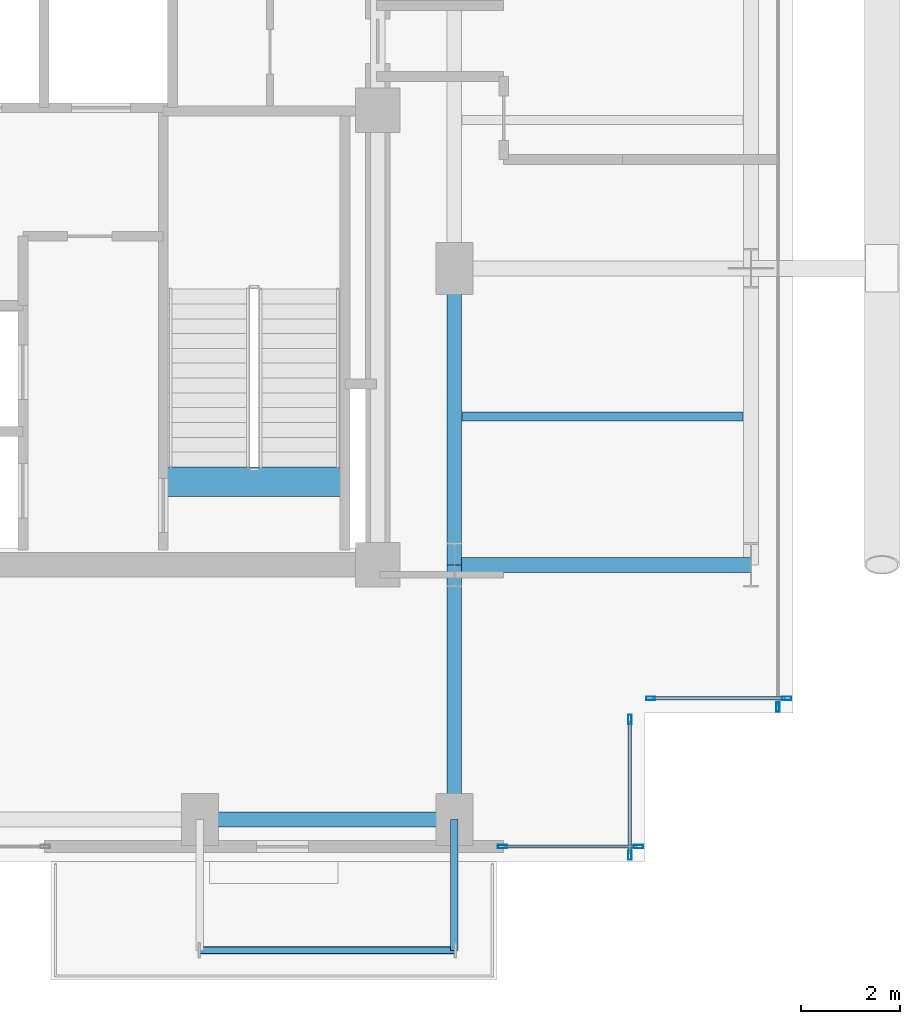
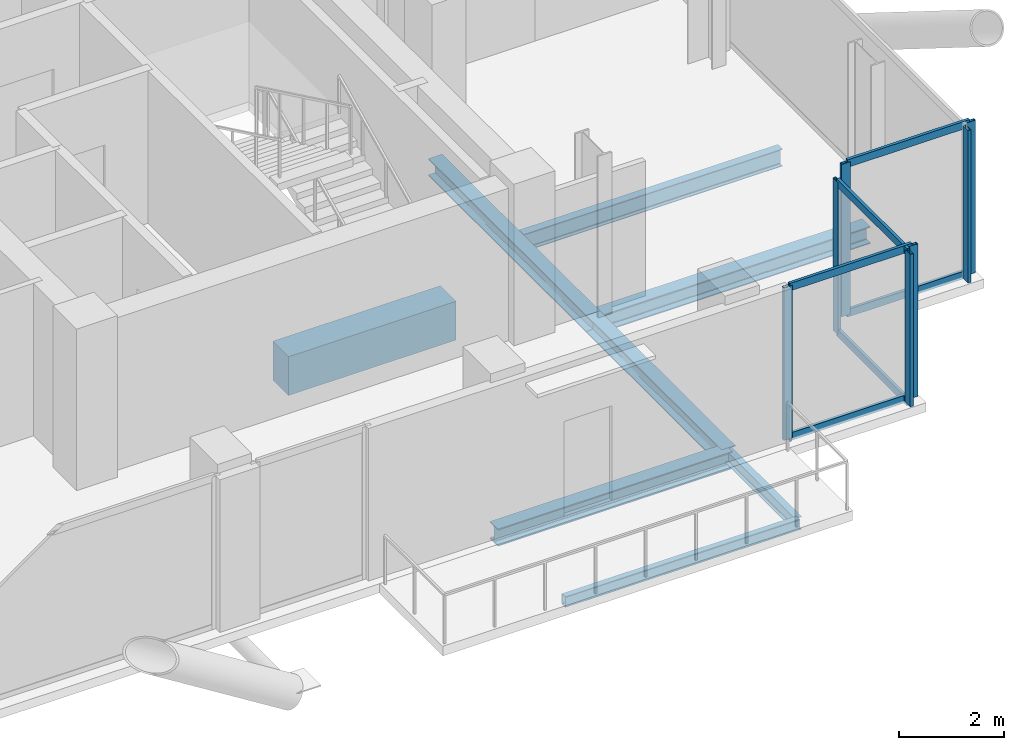
# One storey, part 11 of 25: 13 members, 8 beams, 4 elements without a shape of their own.
"""IFC4 building model written with IfcOpenShell, lengths in metres."""

from ifc_helpers import new_model, si_unit, direction, frame, origin, origin_2d, place, context, subcontext, project, spatial, rectangle, hollow_rectangle, i_section, extrude, material, layer, layer_set, material_profile, profile_set, type_object, element, aggregate, save


model = new_model("IFC4")

# Units and contexts
model_context = context("Model", 3, precision=1e-05, world=origin(), true_north=direction((0.0, 1.0)))
body_context = subcontext(model_context, "Body", "Model", "MODEL_VIEW")
ifc_project = project(units=[si_unit("LENGTHUNIT", "METRE"), si_unit("AREAUNIT", "SQUARE_METRE"), si_unit("VOLUMEUNIT", "CUBIC_METRE"), si_unit("PLANEANGLEUNIT", "RADIAN"), si_unit("MASSUNIT", "GRAM", prefix="KILO"), si_unit("THERMODYNAMICTEMPERATUREUNIT", "KELVIN"), si_unit("POWERUNIT", "WATT")], contexts=[model_context])

# Site, building, storey
site_placement = place(None, origin())
site = spatial("IfcSite", under=ifc_project, at=site_placement, CompositionType="ELEMENT")
building_placement = place(site_placement, origin())
building = spatial("IfcBuilding", under=site, at=building_placement, Name="Svarakhadi Broadcast Tower", CompositionType="ELEMENT")
storey_placement = place(building_placement, frame((0.0, 0.0, 216.14990234375)))
storey = spatial("IfcBuildingStorey", under=building, at=storey_placement, Name="L53", CompositionType="ELEMENT", Elevation=216.14990234375)

# Beam
ifc_material_1 = material(Name="Steel S355J2 (IS 2062 E350C)", Category="steel")
ifc_material_profile_1 = material_profile(ifc_material_1, i_section(OverallWidth=0.179931640625, OverallDepth=0.39990234375, WebThickness=0.008544921875, FlangeThickness=0.013427734375, FilletRadius=0.02099609375, at=origin_2d()), Name="NPB 400x180x66")
ifc_profile_set_1 = profile_set([ifc_material_profile_1], Name="Steel S355J2 (IS 2062 E350C)")
beam_type_1 = type_object("IfcBeamType", Name="Beam_NPB400", PredefinedType="BEAM", material=ifc_profile_set_1)
beam_1_placement = place(storey_placement, frame((35.31005859375, 9.0, -0.409912109375), z_axis=(1.0, 0.0, 0.0), x_axis=(0.0, 1.0, 0.0)))
element("IfcBeam", 1, at=beam_1_placement, inside=storey, type_object=beam_type_1, Name="L53 Secondary Composite Beam SB016", PredefinedType="BEAM", context=body_context, shape_type="SweptSolid", body=[
    extrude(i_section(OverallWidth=0.179931640625, OverallDepth=0.39990234375, WebThickness=0.008544921875, FlangeThickness=0.013427734375, FilletRadius=0.02099609375, at=origin_2d()), origin(), (0.0, 0.0, 1.0), 5.679931640625),
])

# Curtain wall, member
ifc_material_2 = material(Name="Anodised Bronze Aluminium AA 6063-T6", Category="aluminium")
ifc_layer = layer(ifc_material_2, 0.18994140625)
ifc_layer_set = layer_set([ifc_layer], Name="Anodised Bronze Aluminium AA 6063-T6")
curtain_wall_type = type_object("IfcCurtainWallType", Name="CW_Sys_04", PredefinedType="NOTDEFINED", material=ifc_layer_set)
curtain_wall_1_placement = place(storey_placement, origin())
curtain_wall_1 = element("IfcCurtainWall", 2, at=curtain_wall_1_placement, inside=storey, type_object=curtain_wall_type, Name="L53 Unitised Facade Curtain Wall 13", PredefinedType="NOTDEFINED")
ifc_material_profile_2 = material_profile(ifc_material_2, hollow_rectangle(XDim=0.070068359375, YDim=0.18994140625, WallThickness=0.005615234375, at=origin_2d()), Name="ALU MULLION 190x70x6")
ifc_profile_set_2 = profile_set([ifc_material_profile_2], Name="Anodised Bronze Aluminium AA 6063-T6")
member_type_1 = type_object("IfcMemberType", Name="CW_Sys_04_Mul", PredefinedType="MULLION", material=ifc_profile_set_2)
member_1_placement = place(storey_placement, frame((41.699951171875, 3.125, 0.0), z_axis=(0.0, 0.0, 1.0), x_axis=(1.0, 0.0, 0.0)))
member_1 = element("IfcMember", 3, at=member_1_placement, type_object=member_type_1, Name="CW-04 mullion 2", PredefinedType="MULLION", context=body_context, shape_type="SweptSolid", body=[
    extrude(hollow_rectangle(XDim=0.070068359375, YDim=0.18994140625, WallThickness=0.005615234375, at=origin_2d()), origin(), (0.0, 0.0, 1.0), 3.5400390625),
])
aggregate(curtain_wall_1, [member_1])

# Curtain wall, members
curtain_wall_2_placement = place(storey_placement, origin())
curtain_wall_2 = element("IfcCurtainWall", 4, at=curtain_wall_2_placement, inside=storey, type_object=curtain_wall_type, Name="L53 Unitised Facade Curtain Wall 14", PredefinedType="NOTDEFINED")
member_2_placement = place(storey_placement, frame((41.875, 3.300048828125, 0.0), z_axis=(0.0, 0.0, 1.0), x_axis=(0.0, -1.0, 0.0)))
member_2 = element("IfcMember", 5, at=member_2_placement, type_object=member_type_1, Name="CW-04 mullion 1", PredefinedType="MULLION", context=body_context, shape_type="SweptSolid", body=[
    extrude(hollow_rectangle(XDim=0.070068359375, YDim=0.18994140625, WallThickness=0.005615234375, at=origin_2d()), origin(), (0.0, 0.0, 1.0), 3.5400390625),
])
member_3_placement = place(storey_placement, frame((39.125, 3.300048828125, 0.0), z_axis=(0.0, 0.0, 1.0), x_axis=(0.0, -1.0, 0.0)))
member_3 = element("IfcMember", 6, at=member_3_placement, type_object=member_type_1, Name="CW-04 mullion 2", PredefinedType="MULLION", context=body_context, shape_type="SweptSolid", body=[
    extrude(hollow_rectangle(XDim=0.070068359375, YDim=0.18994140625, WallThickness=0.005615234375, at=origin_2d()), origin(), (0.0, 0.0, 1.0), 3.5400390625),
])

curtain_wall_3_placement = place(storey_placement, origin())
curtain_wall_3 = element("IfcCurtainWall", 7, at=curtain_wall_3_placement, inside=storey, type_object=curtain_wall_type, Name="L53 Unitised Facade Curtain Wall 15", PredefinedType="NOTDEFINED")
member_4_placement = place(storey_placement, frame((38.699951171875, 2.875, 0.0), z_axis=(0.0, 0.0, 1.0), x_axis=(1.0, 0.0, 0.0)))
member_4 = element("IfcMember", 8, at=member_4_placement, type_object=member_type_1, Name="CW-04 mullion 1", PredefinedType="MULLION", context=body_context, shape_type="SweptSolid", body=[
    extrude(hollow_rectangle(XDim=0.070068359375, YDim=0.18994140625, WallThickness=0.005615234375, at=origin_2d()), origin(), (0.0, 0.0, 1.0), 3.5400390625),
])
member_5_placement = place(storey_placement, frame((38.699951171875, 0.125, 0.0), z_axis=(0.0, 0.0, 1.0), x_axis=(1.0, 0.0, 0.0)))
member_5 = element("IfcMember", 9, at=member_5_placement, type_object=member_type_1, Name="CW-04 mullion 2", PredefinedType="MULLION", context=body_context, shape_type="SweptSolid", body=[
    extrude(hollow_rectangle(XDim=0.070068359375, YDim=0.18994140625, WallThickness=0.005615234375, at=origin_2d()), origin(), (0.0, 0.0, 1.0), 3.5400390625),
])

curtain_wall_4_placement = place(storey_placement, origin())
curtain_wall_4 = element("IfcCurtainWall", 10, at=curtain_wall_4_placement, inside=storey, type_object=curtain_wall_type, Name="L53 South Curtain Wall 16", PredefinedType="NOTDEFINED")
member_6_placement = place(storey_placement, frame((38.875, 0.300048828125, 0.0), z_axis=(0.0, 0.0, 1.0), x_axis=(0.0, -1.0, 0.0)))
member_6 = element("IfcMember", 11, at=member_6_placement, type_object=member_type_1, Name="CW-04 mullion 1", PredefinedType="MULLION", context=body_context, shape_type="SweptSolid", body=[
    extrude(hollow_rectangle(XDim=0.070068359375, YDim=0.18994140625, WallThickness=0.005615234375, at=origin_2d()), origin(), (0.0, 0.0, 1.0), 3.5400390625),
])
member_7_placement = place(storey_placement, frame((36.125, 0.300048828125, 0.0), z_axis=(0.0, 0.0, 1.0), x_axis=(0.0, -1.0, 0.0)))
member_7 = element("IfcMember", 12, at=member_7_placement, type_object=member_type_1, Name="CW-04 mullion 2", PredefinedType="MULLION", context=body_context, shape_type="SweptSolid", body=[
    extrude(hollow_rectangle(XDim=0.070068359375, YDim=0.18994140625, WallThickness=0.005615234375, at=origin_2d()), origin(), (0.0, 0.0, 1.0), 3.5400390625),
])

# Member
ifc_material_profile_3 = material_profile(ifc_material_2, hollow_rectangle(XDim=0.06494140625, YDim=0.175048828125, WallThickness=0.0048828125, at=origin_2d()), Name="ALU TRANSOM 175x65x5")
ifc_profile_set_3 = profile_set([ifc_material_profile_3], Name="Anodised Bronze Aluminium AA 6063-T6")
member_type_2 = type_object("IfcMemberType", Name="CW_Sys_04_Trn", PredefinedType="USERDEFINED", material=ifc_profile_set_3)
member_8_placement = place(storey_placement, frame((41.840087890625, 3.300048828125, 0.03271484375), z_axis=(-1.0, 0.0, 0.0), x_axis=(0.0, -1.0, 0.0)))
member_8 = element("IfcMember", 13, at=member_8_placement, type_object=member_type_2, Name="CW-04 transom 1.1", ObjectType="TRANSOM", PredefinedType="USERDEFINED", context=body_context, shape_type="SweptSolid", body=[
    extrude(hollow_rectangle(XDim=0.06494140625, YDim=0.175048828125, WallThickness=0.0048828125, at=origin_2d()), origin(), (0.0, 0.0, 1.0), 2.68017578125),
])

member_9_placement = place(storey_placement, frame((41.840087890625, 3.300048828125, 3.507568359375), z_axis=(-1.0, 0.0, 0.0), x_axis=(0.0, -1.0, 0.0)))
member_9 = element("IfcMember", 14, at=member_9_placement, type_object=member_type_2, Name="CW-04 transom 1.2", ObjectType="TRANSOM", PredefinedType="USERDEFINED", context=body_context, shape_type="SweptSolid", body=[
    extrude(hollow_rectangle(XDim=0.06494140625, YDim=0.175048828125, WallThickness=0.0048828125, at=origin_2d()), origin(), (0.0, 0.0, 1.0), 2.68017578125),
])

aggregate(curtain_wall_2, [member_2, member_3, member_8, member_9])

member_10_placement = place(storey_placement, frame((38.699951171875, 2.840087890625, 0.03271484375), z_axis=(0.0, -1.0, 0.0), x_axis=(1.0, 0.0, 0.0)))
member_10 = element("IfcMember", 15, at=member_10_placement, type_object=member_type_2, Name="CW-04 transom 1.1", ObjectType="TRANSOM", PredefinedType="USERDEFINED", context=body_context, shape_type="SweptSolid", body=[
    extrude(hollow_rectangle(XDim=0.06494140625, YDim=0.175048828125, WallThickness=0.0048828125, at=origin_2d()), origin(), (0.0, 0.0, 1.0), 2.68017578125),
])

member_11_placement = place(storey_placement, frame((38.699951171875, 2.840087890625, 3.507568359375), z_axis=(0.0, -1.0, 0.0), x_axis=(1.0, 0.0, 0.0)))
member_11 = element("IfcMember", 16, at=member_11_placement, type_object=member_type_2, Name="CW-04 transom 1.2", ObjectType="TRANSOM", PredefinedType="USERDEFINED", context=body_context, shape_type="SweptSolid", body=[
    extrude(hollow_rectangle(XDim=0.06494140625, YDim=0.175048828125, WallThickness=0.0048828125, at=origin_2d()), origin(), (0.0, 0.0, 1.0), 2.68017578125),
])

aggregate(curtain_wall_3, [member_4, member_5, member_10, member_11])

member_12_placement = place(storey_placement, frame((38.840087890625, 0.300048828125, 0.03271484375), z_axis=(-1.0, 0.0, 0.0), x_axis=(0.0, -1.0, 0.0)))
member_12 = element("IfcMember", 17, at=member_12_placement, type_object=member_type_2, Name="CW-04 transom 1.1", ObjectType="TRANSOM", PredefinedType="USERDEFINED", context=body_context, shape_type="SweptSolid", body=[
    extrude(hollow_rectangle(XDim=0.06494140625, YDim=0.175048828125, WallThickness=0.0048828125, at=origin_2d()), origin(), (0.0, 0.0, 1.0), 2.68017578125),
])

member_13_placement = place(storey_placement, frame((38.840087890625, 0.300048828125, 3.507568359375), z_axis=(-1.0, 0.0, 0.0), x_axis=(0.0, -1.0, 0.0)))
member_13 = element("IfcMember", 18, at=member_13_placement, type_object=member_type_2, Name="CW-04 transom 1.2", ObjectType="TRANSOM", PredefinedType="USERDEFINED", context=body_context, shape_type="SweptSolid", body=[
    extrude(hollow_rectangle(XDim=0.06494140625, YDim=0.175048828125, WallThickness=0.0048828125, at=origin_2d()), origin(), (0.0, 0.0, 1.0), 2.68017578125),
])

aggregate(curtain_wall_4, [member_6, member_7, member_12, member_13])

# Beams
ifc_material_3 = material(Name="Concrete C50/60 (IS 456 M60)", Category="concrete")
ifc_material_profile_4 = material_profile(ifc_material_3, rectangle(XDim=0.60009765625, YDim=0.89990234375, at=origin_2d()), Name="RC 600x900")
ifc_profile_set_4 = profile_set([ifc_material_profile_4], Name="Concrete C50/60 (IS 456 M60)")
beam_type_2 = type_object("IfcBeamType", Name="Coupling_RC600", PredefinedType="USERDEFINED", material=ifc_profile_set_4)
beam_2_placement = place(storey_placement, frame((29.260009765625, 7.679931640625, -0.449951171875), z_axis=(1.0, 0.0, 0.0), x_axis=(0.0, 1.0, 0.0)))
element("IfcBeam", 19, at=beam_2_placement, inside=storey, type_object=beam_type_2, Name="L53 Stair ST-02 Landing Throat Trimmer Beam CB-01", ObjectType="GIRDER", PredefinedType="USERDEFINED", context=body_context, shape_type="SweptSolid", body=[
    extrude(rectangle(XDim=0.60009765625, YDim=0.89990234375, at=origin_2d()), origin(), (0.0, 0.0, 1.0), 3.679931640625),
])
ifc_material_profile_5 = material_profile(ifc_material_1, i_section(OverallWidth=0.300048828125, OverallDepth=0.39990234375, WebThickness=0.013427734375, FlangeThickness=0.02392578125, FilletRadius=0.027099609375, at=origin_2d()), Name="WPB 400x300x155")
ifc_profile_set_5 = profile_set([ifc_material_profile_5], Name="Steel S355J2 (IS 2062 E350C)")
beam_type_3 = type_object("IfcBeamType", Name="Girder_WPB400", PredefinedType="USERDEFINED", material=ifc_profile_set_5)
beam_3_placement = place(storey_placement, frame((30.0, 0.85009765625, -0.409912109375), z_axis=(1.0, 0.0, 0.0), x_axis=(0.0, 1.0, 0.0)))
element("IfcBeam", 20, at=beam_3_placement, inside=storey, type_object=beam_type_3, Name="L53 Primary E-W Girder G008", ObjectType="GIRDER", PredefinedType="USERDEFINED", context=body_context, shape_type="SweptSolid", body=[
    extrude(i_section(OverallWidth=0.300048828125, OverallDepth=0.39990234375, WebThickness=0.013427734375, FlangeThickness=0.02392578125, FilletRadius=0.027099609375, at=origin_2d()), origin(), (0.0, 0.0, 1.0), 5.14990234375),
])
beam_4_placement = place(storey_placement, frame((35.14990234375, 6.0, -0.409912109375), z_axis=(1.0, 0.0, 0.0), x_axis=(0.0, 1.0, 0.0)))
element("IfcBeam", 21, at=beam_4_placement, inside=storey, type_object=beam_type_3, Name="L53 Primary E-W Girder G014", ObjectType="GIRDER", PredefinedType="USERDEFINED", context=body_context, shape_type="SweptSolid", body=[
    extrude(i_section(OverallWidth=0.300048828125, OverallDepth=0.39990234375, WebThickness=0.013427734375, FlangeThickness=0.02392578125, FilletRadius=0.027099609375, at=origin_2d()), origin(), (0.0, 0.0, 1.0), 6.0),
])
beam_5_placement = place(storey_placement, frame((35.14990234375, 0.85009765625, -0.409912109375), z_axis=(0.0, 1.0, 0.0), x_axis=(-1.0, 0.0, 0.0)))
element("IfcBeam", 22, at=beam_5_placement, inside=storey, type_object=beam_type_3, Name="L53 Primary N-S Girder G056", ObjectType="GIRDER", PredefinedType="USERDEFINED", context=body_context, shape_type="SweptSolid", body=[
    extrude(i_section(OverallWidth=0.300048828125, OverallDepth=0.39990234375, WebThickness=0.013427734375, FlangeThickness=0.02392578125, FilletRadius=0.027099609375, at=origin_2d()), origin(), (0.0, 0.0, 1.0), 5.14990234375),
])
beam_6_placement = place(storey_placement, frame((35.14990234375, 6.0, -0.409912109375), z_axis=(0.0, 1.0, 0.0), x_axis=(-1.0, 0.0, 0.0)))
element("IfcBeam", 23, at=beam_6_placement, inside=storey, type_object=beam_type_3, Name="L53 Primary N-S Girder G057", ObjectType="GIRDER", PredefinedType="USERDEFINED", context=body_context, shape_type="SweptSolid", body=[
    extrude(i_section(OverallWidth=0.300048828125, OverallDepth=0.39990234375, WebThickness=0.013427734375, FlangeThickness=0.02392578125, FilletRadius=0.027099609375, at=origin_2d()), origin(), (0.0, 0.0, 1.0), 6.0),
])
ifc_material_profile_6 = material_profile(ifc_material_1, i_section(OverallWidth=0.14990234375, OverallDepth=0.300048828125, WebThickness=0.007080078125, FlangeThickness=0.0107421875, FilletRadius=0.014892578125, at=origin_2d()), Name="NPB 300x150x37")
ifc_profile_set_6 = profile_set([ifc_material_profile_6], Name="Steel S355J2 (IS 2062 E350C)")
beam_type_4 = type_object("IfcBeamType", Name="Spandrel_NPB300", PredefinedType="SPANDREL", material=ifc_profile_set_6)
beam_7_placement = place(storey_placement, frame((35.14990234375, 0.85009765625, -0.375), z_axis=(0.0, -1.0, 0.0), x_axis=(1.0, 0.0, 0.0)))
element("IfcBeam", 24, at=beam_7_placement, inside=storey, type_object=beam_type_4, Name="L53 Balcony Cantilever Bracket 1B", PredefinedType="SPANDREL", context=body_context, shape_type="SweptSolid", body=[
    extrude(i_section(OverallWidth=0.14990234375, OverallDepth=0.300048828125, WebThickness=0.007080078125, FlangeThickness=0.0107421875, FilletRadius=0.014892578125, at=origin_2d()), origin(), (0.0, 0.0, 1.0), 2.650146484375),
])
ifc_material_4 = material(Name="Steel S460ML (IS 2062 E450BR)", Category="steel")
ifc_material_profile_7 = material_profile(ifc_material_4, hollow_rectangle(XDim=0.14990234375, YDim=0.25, WallThickness=0.010009765625, InnerFilletRadius=0.010009765625, OuterFilletRadius=0.02001953125, at=origin_2d()), Name="RHS 250x150x10")
ifc_profile_set_7 = profile_set([ifc_material_profile_7], Name="Steel S460ML (IS 2062 E450BR)")
beam_type_5 = type_object("IfcBeamType", Name="Spandrel_RHS250", PredefinedType="SPANDREL", material=ifc_profile_set_7)
beam_8_placement = place(storey_placement, frame((30.0, -1.800048828125, -0.349853515625), z_axis=(1.0, 0.0, 0.0), x_axis=(0.0, 1.0, 0.0)))
element("IfcBeam", 25, at=beam_8_placement, inside=storey, type_object=beam_type_5, Name="L53 Balcony Outer Spandrel 1F", PredefinedType="SPANDREL", context=body_context, shape_type="SweptSolid", body=[
    extrude(hollow_rectangle(XDim=0.14990234375, YDim=0.25, WallThickness=0.010009765625, InnerFilletRadius=0.010009765625, OuterFilletRadius=0.02001953125, at=origin_2d()), origin(), (0.0, 0.0, 1.0), 5.14990234375),
])

save(model, "model.ifc")
